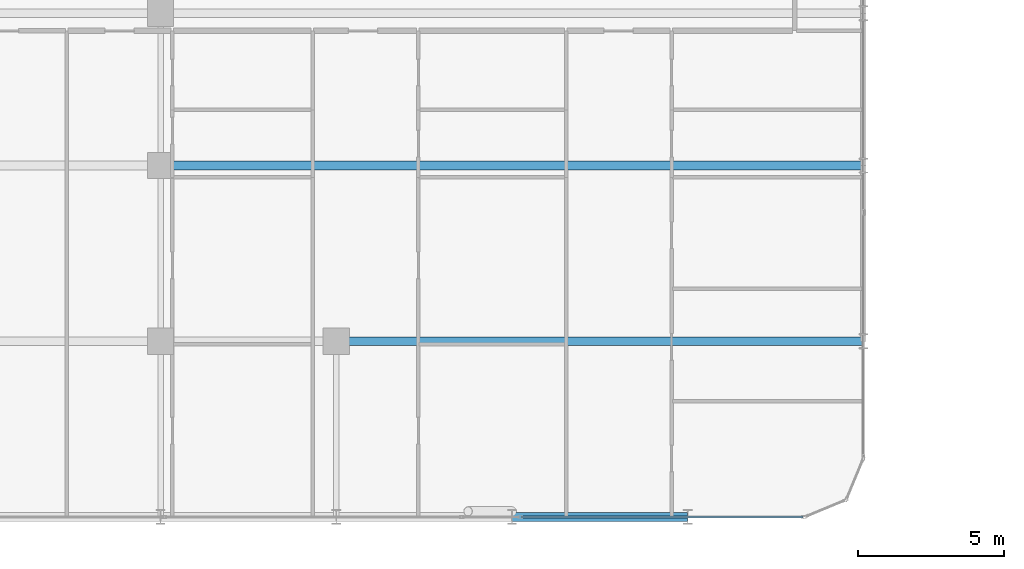
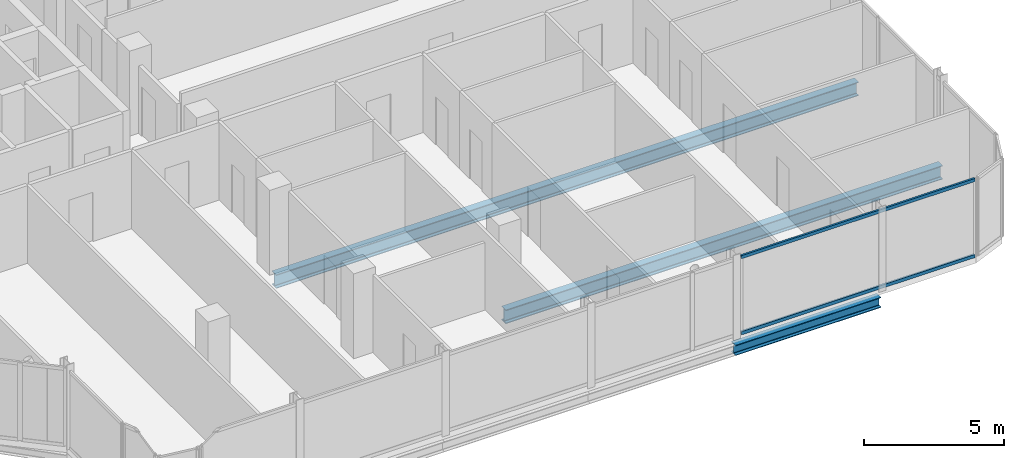
# One storey, part 10 of 31: 3 beams, 2 members, 1 element without a shape of its own.
"""IFC4 building model written with IfcOpenShell, lengths in metres."""

from ifc_helpers import new_model, si_unit, direction, frame, origin, origin_2d, place, context, subcontext, project, spatial, hollow_rectangle, i_section, extrude, material, layer, layer_set, material_profile, profile_set, type_object, element, aggregate, save


model = new_model("IFC4")

# Units and contexts
model_context = context("Model", 3, precision=1e-05, world=origin(), true_north=direction((0.0, 1.0)))
body_context = subcontext(model_context, "Body", "Model", "MODEL_VIEW")
ifc_project = project(units=[si_unit("LENGTHUNIT", "METRE"), si_unit("AREAUNIT", "SQUARE_METRE"), si_unit("VOLUMEUNIT", "CUBIC_METRE"), si_unit("PLANEANGLEUNIT", "RADIAN"), si_unit("MASSUNIT", "GRAM", prefix="KILO")], contexts=[model_context])

# Site, building, storey
site_placement = place(None, origin())
site = spatial("IfcSite", under=ifc_project, at=site_placement, CompositionType="ELEMENT")
building_placement = place(site_placement, origin())
building = spatial("IfcBuilding", under=site, at=building_placement, Name="Keshet Zoharim Tower", CompositionType="ELEMENT")
storey_placement = place(building_placement, frame((0.0, 0.0, 144.60009765625)))
storey = spatial("IfcBuildingStorey", under=building, at=storey_placement, Name="L35", CompositionType="ELEMENT", Elevation=144.60009765625)

# Beams
ifc_material_1 = material(Name="Steel S355", Category="steel")
ifc_material_profile_1 = material_profile(ifc_material_1, i_section(OverallWidth=0.300048828125, OverallDepth=0.60009765625, WebThickness=0.015380859375, FlangeThickness=0.030029296875, FilletRadius=0.027099609375, at=origin_2d()), Name="HEB600")
ifc_profile_set_1 = profile_set([ifc_material_profile_1], Name="Steel S355")
beam_type_1 = type_object("IfcBeamType", Name="BM-LNG-HB600", PredefinedType="BEAM", material=ifc_profile_set_1)
beam_1_placement = place(storey_placement, frame((39.0, 6.699951171875, -0.614990234375), z_axis=(1.0, 0.0, 0.0), x_axis=(0.0, 1.0, 0.0)))
element("IfcBeam", 1, at=beam_1_placement, inside=storey, type_object=beam_type_1, Name="L35 Primary Girder X-008", PredefinedType="BEAM", context=body_context, shape_type="SweptSolid", body=[
    extrude(i_section(OverallWidth=0.300048828125, OverallDepth=0.60009765625, WebThickness=0.015380859375, FlangeThickness=0.030029296875, FilletRadius=0.027099609375, at=origin_2d()), origin(), (0.0, 0.0, 1.0), 18.0),
])
beam_2_placement = place(storey_placement, frame((33.0, 12.699951171875, -0.614990234375), z_axis=(1.0, 0.0, 0.0), x_axis=(0.0, 1.0, 0.0)))
element("IfcBeam", 2, at=beam_2_placement, inside=storey, type_object=beam_type_1, Name="L35 Primary Girder X-010", PredefinedType="BEAM", context=body_context, shape_type="SweptSolid", body=[
    extrude(i_section(OverallWidth=0.300048828125, OverallDepth=0.60009765625, WebThickness=0.015380859375, FlangeThickness=0.030029296875, FilletRadius=0.027099609375, at=origin_2d()), origin(), (0.0, 0.0, 1.0), 24.0),
])
ifc_material_profile_2 = material_profile(ifc_material_1, i_section(OverallWidth=0.300048828125, OverallDepth=0.449951171875, WebThickness=0.013916015625, FlangeThickness=0.02587890625, FilletRadius=0.027099609375, at=origin_2d()), Name="HEB450")
ifc_profile_set_2 = profile_set([ifc_material_profile_2], Name="Steel S355")
beam_type_2 = type_object("IfcBeamType", Name="BM-WEB-HB450", PredefinedType="BEAM", material=ifc_profile_set_2)
beam_3_placement = place(storey_placement, frame((45.0, 0.699951171875, -0.5400390625), z_axis=(1.0, 0.0, 0.0), x_axis=(0.0, 1.0, 0.0)))
element("IfcBeam", 3, at=beam_3_placement, inside=storey, type_object=beam_type_2, Name="L35 Primary Girder X-004", PredefinedType="BEAM", context=body_context, shape_type="SweptSolid", body=[
    extrude(i_section(OverallWidth=0.300048828125, OverallDepth=0.449951171875, WebThickness=0.013916015625, FlangeThickness=0.02587890625, FilletRadius=0.027099609375, at=origin_2d()), origin(), (0.0, 0.0, 1.0), 6.0),
])

# Curtain wall, members
ifc_material_2 = material(Name="Aluminium 6063-T6", Category="aluminium")
ifc_layer = layer(ifc_material_2, 0.159912109375)
ifc_layer_set = layer_set([ifc_layer], Name="Aluminium 6063-T6")
curtain_wall_type = type_object("IfcCurtainWallType", Name="CW-SYS-03", PredefinedType="NOTDEFINED", material=ifc_layer_set)
curtain_wall_placement = place(storey_placement, origin())
curtain_wall = element("IfcCurtainWall", 4, at=curtain_wall_placement, inside=storey, type_object=curtain_wall_type, Name="L35 Unitised Curtain Wall 03", PredefinedType="NOTDEFINED")
ifc_material_profile_3 = material_profile(ifc_material_2, hollow_rectangle(XDim=0.080078125, YDim=0.139892578125, WallThickness=0.00390625, at=origin_2d()), Name="TRN-80x140")
ifc_profile_set_3 = profile_set([ifc_material_profile_3], Name="Aluminium 6063-T6")
member_type = type_object("IfcMemberType", Name="CWT-T14", PredefinedType="USERDEFINED", material=ifc_profile_set_3)
member_1_placement = place(storey_placement, frame((54.929931640625, 0.699951171875, 0.034912109375), z_axis=(-1.0, 0.0, 0.0), x_axis=(0.0, -1.0, 0.0)))
member_1 = element("IfcMember", 5, at=member_1_placement, type_object=member_type, Name="CW-03 transom 1.1", ObjectType="TRANSOM", PredefinedType="USERDEFINED", context=body_context, shape_type="SweptSolid", body=[
    extrude(hollow_rectangle(XDim=0.080078125, YDim=0.139892578125, WallThickness=0.00390625, at=origin_2d()), origin(), (0.0, 0.0, 1.0), 9.61181640625),
])
member_2_placement = place(storey_placement, frame((54.929931640625, 0.699951171875, 3.349853515625), z_axis=(-1.0, 0.0, 0.0), x_axis=(0.0, -1.0, 0.0)))
member_2 = element("IfcMember", 6, at=member_2_placement, type_object=member_type, Name="CW-03 transom 1.2", ObjectType="TRANSOM", PredefinedType="USERDEFINED", context=body_context, shape_type="SweptSolid", body=[
    extrude(hollow_rectangle(XDim=0.080078125, YDim=0.139892578125, WallThickness=0.00390625, at=origin_2d()), origin(), (0.0, 0.0, 1.0), 9.61181640625),
])
aggregate(curtain_wall, [member_1, member_2])

save(model, "model.ifc")
